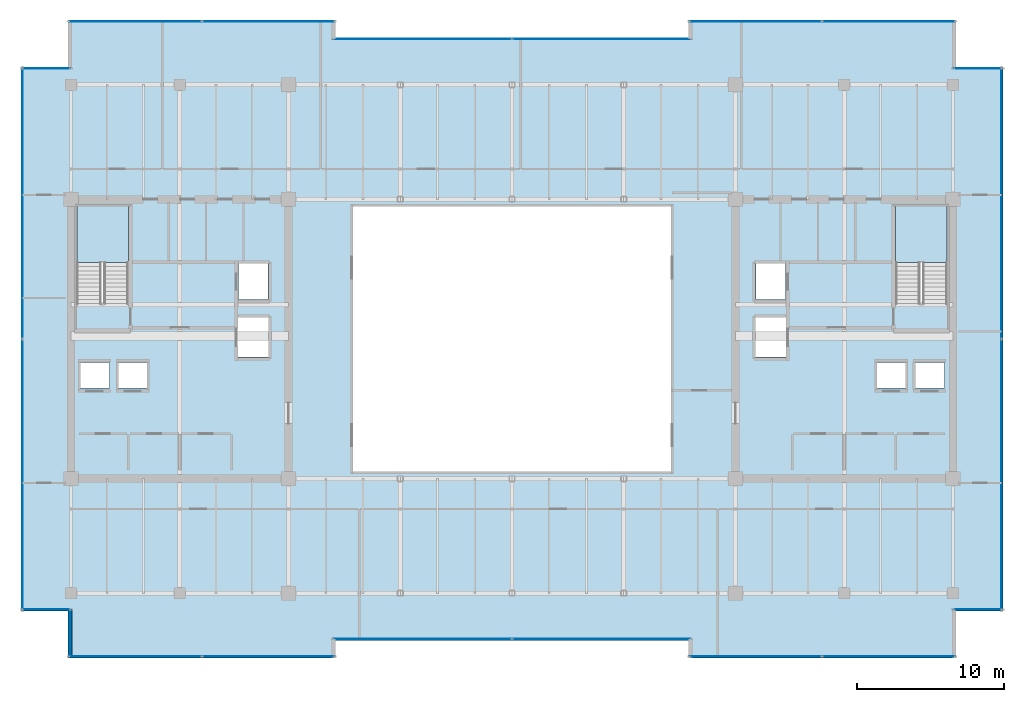
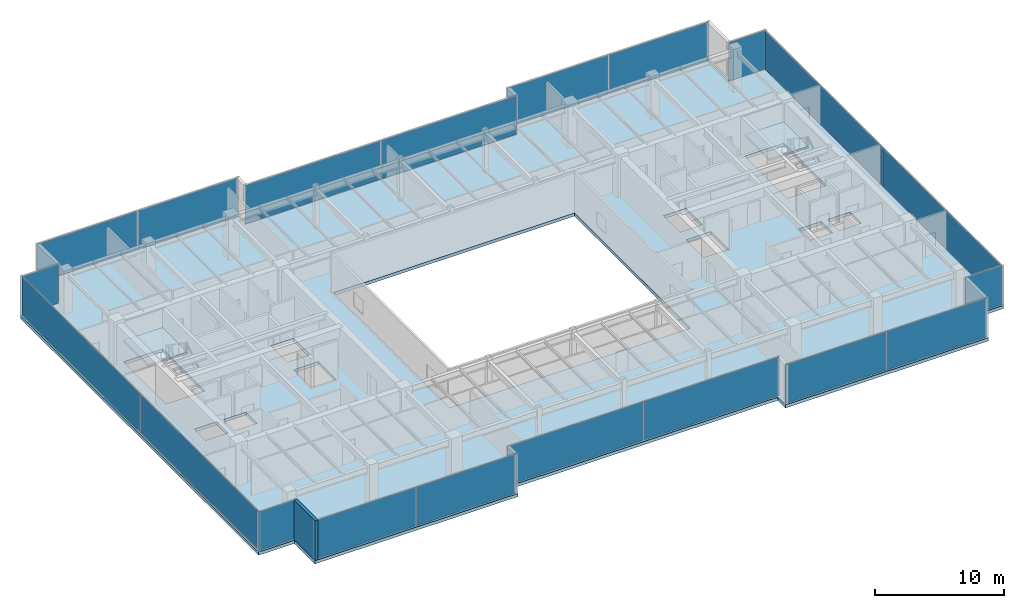
# One storey, part 27 of 33: 20 plates, 3 slabs, 1 wall, 14 elements without a shape of their own.
"""IFC4 building model written with IfcOpenShell, lengths in metres."""

from ifc_helpers import new_model, si_unit, direction, frame, frame_2d, origin, origin_2d, place, context, subcontext, project, spatial, polyline, rectangle, outline, extrude, source, transform, mapped, material, layer, layer_set, type_object, type_shapes, element, aggregate, save


model = new_model("IFC4")

# Units and contexts
model_context = context("Model", 3, precision=1e-05, world=origin(), true_north=direction((0.0, 1.0)))
body_context = subcontext(model_context, "Body", "Model", "MODEL_VIEW")
ifc_project = project(units=[si_unit("LENGTHUNIT", "METRE"), si_unit("AREAUNIT", "SQUARE_METRE"), si_unit("VOLUMEUNIT", "CUBIC_METRE"), si_unit("PLANEANGLEUNIT", "RADIAN"), si_unit("MASSUNIT", "GRAM", prefix="KILO")], contexts=[model_context])

# Site, building, storey
site_placement = place(None, origin())
site = spatial("IfcSite", under=ifc_project, at=site_placement, CompositionType="ELEMENT")
building_placement = place(site_placement, origin())
building = spatial("IfcBuilding", under=site, at=building_placement, Name="Haelvirn Gate Laboratories", CompositionType="ELEMENT")
storey_placement = place(building_placement, frame((0.0, 0.0, 275.199951171875)))
storey = spatial("IfcBuildingStorey", under=building, at=storey_placement, Name="L66", CompositionType="ELEMENT", Elevation=275.199951171875)

# Stair, slab
ifc_material_1 = material(Name="Concrete C40/50", Category="concrete")
stair_type = type_object("IfcStairType", Name="ST-DOG-1650-R22", PredefinedType="HALF_TURN_STAIR", material=ifc_material_1)
stair_1_placement = place(storey_placement, origin())
stair_1 = element("IfcStair", 1, at=stair_1_placement, inside=storey, type_object=stair_type, Name="L66 Escape Stair ST1", PredefinedType="HALF_TURN_STAIR")
ifc_layer_1 = layer(ifc_material_1, 0.199951171875, Name="SL-STAIR-LND")
ifc_layer_set_1 = layer_set([ifc_layer_1], Name="Concrete C40/50")
slab_type_1 = type_object("IfcSlabType", Name="SL-STAIR-LND", PredefinedType="LANDING", material=ifc_layer_set_1)
slab_1_placement = place(storey_placement, frame((0.0, 0.0, 1.85009765625)))
slab_1 = element("IfcSlab", 2, at=slab_1_placement, type_object=slab_type_1, Name="ST1 landing 1", PredefinedType="LANDING", context=body_context, shape_type="SweptSolid", body=[
    extrude(outline(polyline([(11.300048828125, 29.5), (11.300048828125, 33.35009765625), (7.800048828125, 33.35009765625), (7.800048828125, 29.5), (11.300048828125, 29.5)])), origin(), (0.0, 0.0, 1.0), 0.199951171875),
])
aggregate(stair_1, [slab_1])

stair_2_placement = place(storey_placement, origin())
stair_2 = element("IfcStair", 3, at=stair_2_placement, inside=storey, type_object=stair_type, Name="L66 Escape Stair ST2", PredefinedType="HALF_TURN_STAIR")
slab_2_placement = place(storey_placement, frame((0.0, 0.0, 1.85009765625)))
slab_2 = element("IfcSlab", 4, at=slab_2_placement, type_object=slab_type_1, Name="ST2 landing 1", PredefinedType="LANDING", context=body_context, shape_type="SweptSolid", body=[
    extrude(outline(polyline([(67.0, 29.5), (67.0, 33.35009765625), (63.5, 33.35009765625), (63.5, 29.5), (67.0, 29.5)])), origin(), (0.0, 0.0, 1.0), 0.199951171875),
])
aggregate(stair_2, [slab_2])

# Slab
ifc_layer_2 = layer(ifc_material_1, 0.300048828125, Name="SL-Z3-300")
ifc_layer_set_2 = layer_set([ifc_layer_2], Name="Concrete C40/50")
slab_type_2 = type_object("IfcSlabType", Name="SL-Z3-300", PredefinedType="FLOOR", material=ifc_layer_set_2)
slab_3_placement = place(storey_placement, frame((0.0, 0.0, -0.300048828125)))
element("IfcSlab", 5, at=slab_3_placement, inside=storey, type_object=slab_type_2, Name="L66 Structural Slab MAIN", PredefinedType="FLOOR", context=body_context, shape_type="SweptSolid", body=[
    extrude(outline(polyline([(7.199951171875, 2.60009765625), (25.39990234375, 2.60009765625), (25.39990234375, 3.800048828125), (49.39990234375, 3.800048828125), (49.39990234375, 2.60009765625), (67.60009765625, 2.60009765625), (67.60009765625, 5.800048828125), (70.800048828125, 5.800048828125), (70.800048828125, 42.800048828125), (67.60009765625, 42.800048828125), (67.60009765625, 46.0), (49.39990234375, 46.0), (49.39990234375, 44.800048828125), (25.39990234375, 44.800048828125), (25.39990234375, 46.0), (7.199951171875, 46.0), (7.199951171875, 42.800048828125), (4.0, 42.800048828125), (4.0, 5.800048828125), (7.199951171875, 5.800048828125), (7.199951171875, 2.60009765625)]), holes=[polyline([(26.60009765625, 15.300048828125), (48.199951171875, 15.300048828125), (48.199951171875, 33.300048828125), (26.60009765625, 33.300048828125), (26.60009765625, 15.300048828125)]), polyline([(11.300048828125, 26.780029296875), (11.300048828125, 33.35009765625), (7.800048828125, 33.35009765625), (7.800048828125, 26.780029296875), (11.300048828125, 26.780029296875)]), polyline([(67.0, 26.780029296875), (67.0, 33.35009765625), (63.5, 33.35009765625), (63.5, 26.780029296875), (67.0, 26.780029296875)]), polyline([(7.989990234375, 20.969970703125), (10.010009765625, 20.969970703125), (10.010009765625, 22.7099609375), (7.989990234375, 22.7099609375), (7.989990234375, 20.969970703125)]), polyline([(10.590087890625, 20.969970703125), (12.610107421875, 20.969970703125), (12.610107421875, 22.7099609375), (10.590087890625, 22.7099609375), (10.590087890625, 20.969970703125)]), polyline([(18.7900390625, 26.969970703125), (20.81005859375, 26.969970703125), (20.81005859375, 29.510009765625), (18.7900390625, 29.510009765625), (18.7900390625, 26.969970703125)]), polyline([(18.68994140625, 23.070068359375), (20.909912109375, 23.070068359375), (20.909912109375, 25.81005859375), (18.68994140625, 25.81005859375), (18.68994140625, 23.070068359375)]), polyline([(64.7900390625, 20.969970703125), (66.81005859375, 20.969970703125), (66.81005859375, 22.7099609375), (64.7900390625, 22.7099609375), (64.7900390625, 20.969970703125)]), polyline([(62.18994140625, 20.969970703125), (64.2099609375, 20.969970703125), (64.2099609375, 22.7099609375), (62.18994140625, 22.7099609375), (62.18994140625, 20.969970703125)]), polyline([(53.989990234375, 26.969970703125), (56.010009765625, 26.969970703125), (56.010009765625, 29.510009765625), (53.989990234375, 29.510009765625), (53.989990234375, 26.969970703125)]), polyline([(53.889892578125, 23.070068359375), (56.110107421875, 23.070068359375), (56.110107421875, 25.81005859375), (53.889892578125, 25.81005859375), (53.889892578125, 23.070068359375)])]), origin(), (0.0, 0.0, 1.0), 0.300048828125),
])

# Curtain wall, plates
ifc_material_2 = material(Name="Anodised bronze unitised aluminium & triple low-E glass", Category="aluminium")
ifc_layer_3 = layer(ifc_material_2, 0.176025390625, Name="CW-SYS-4")
ifc_layer_set_3 = layer_set([ifc_layer_3], Name="Anodised bronze unitised aluminium & triple low-E glass")
curtain_wall_type_1 = type_object("IfcCurtainWallType", Name="CW-SYS-4", PredefinedType="NOTDEFINED", material=ifc_layer_set_3)
curtain_wall_1_placement = place(storey_placement, origin())
curtain_wall_1 = element("IfcCurtainWall", 6, at=curtain_wall_1_placement, inside=storey, type_object=curtain_wall_type_1, Name="L66 Unitised Curtain Wall CW-L66-P0-E00-1", PredefinedType="NOTDEFINED")
ifc_material_3 = material(Name="Acoustic laminated bronze triple IGU 36 mm", Category="glass")
ifc_layer_4 = layer(ifc_material_3, 0.035888671875, Name="CWP-IGU-36")
ifc_layer_set_4 = layer_set([ifc_layer_4], Name="Acoustic laminated bronze triple IGU 36 mm")
plate_type_1 = type_object("IfcPlateType", Name="CWP-IGU-36", PredefinedType="CURTAIN_PANEL", material=ifc_layer_set_4)
shared_shape_1 = source(origin(), body_context, "Body", "SweptSolid", [
    extrude(rectangle(XDim=8.9951171875, YDim=0.035888671875, at=origin_2d()), origin(), (0.0, 0.0, 1.0), 3.669921875),
])
plate_1_placement = place(storey_placement, frame((11.767578125, 2.699951171875, 0.065185546875), z_axis=(0.0, 0.0, 1.0), x_axis=(1.0, 0.0, 0.0)))
plate_1 = element("IfcPlate", 7, at=plate_1_placement, type_object=plate_type_1, Name="CW4 panel 1.1", PredefinedType="CURTAIN_PANEL", context=body_context, shape_type="MappedRepresentation", body=[
    mapped(shared_shape_1, transform((0.0, 0.0, 0.0), scale=1.0)),
])
plate_2_placement = place(storey_placement, frame((20.83251953125, 2.699951171875, 0.065185546875), z_axis=(0.0, 0.0, 1.0), x_axis=(1.0, 0.0, 0.0)))
plate_2 = element("IfcPlate", 8, at=plate_2_placement, type_object=plate_type_1, Name="CW4 panel 2.1", PredefinedType="CURTAIN_PANEL", context=body_context, shape_type="MappedRepresentation", body=[
    mapped(shared_shape_1, transform((0.0, 0.0, 0.0), scale=1.0)),
])
aggregate(curtain_wall_1, [plate_1, plate_2])

curtain_wall_2_placement = place(storey_placement, origin())
curtain_wall_2 = element("IfcCurtainWall", 9, at=curtain_wall_2_placement, inside=storey, type_object=curtain_wall_type_1, Name="L66 Unitised Curtain Wall CW-L66-P0-E04-1", PredefinedType="NOTDEFINED")
plate_3_placement = place(storey_placement, frame((53.967529296875, 2.699951171875, 0.065185546875), z_axis=(0.0, 0.0, 1.0), x_axis=(1.0, 0.0, 0.0)))
plate_3 = element("IfcPlate", 10, at=plate_3_placement, type_object=plate_type_1, Name="CW4 panel 1.1", PredefinedType="CURTAIN_PANEL", context=body_context, shape_type="MappedRepresentation", body=[
    mapped(shared_shape_1, transform((0.0, 0.0, 0.0), scale=1.0)),
])
plate_4_placement = place(storey_placement, frame((63.032470703125, 2.699951171875, 0.065185546875), z_axis=(0.0, 0.0, 1.0), x_axis=(1.0, 0.0, 0.0)))
plate_4 = element("IfcPlate", 11, at=plate_4_placement, type_object=plate_type_1, Name="CW4 panel 2.1", PredefinedType="CURTAIN_PANEL", context=body_context, shape_type="MappedRepresentation", body=[
    mapped(shared_shape_1, transform((0.0, 0.0, 0.0), scale=1.0)),
])
aggregate(curtain_wall_2, [plate_3, plate_4])

curtain_wall_3_placement = place(storey_placement, origin())
curtain_wall_3 = element("IfcCurtainWall", 12, at=curtain_wall_3_placement, inside=storey, type_object=curtain_wall_type_1, Name="L66 Unitised Curtain Wall CW-L66-P0-E10-1", PredefinedType="NOTDEFINED")
plate_5_placement = place(storey_placement, frame((53.967529296875, 45.89990234375, 0.065185546875), z_axis=(0.0, 0.0, 1.0), x_axis=(1.0, 0.0, 0.0)))
plate_5 = element("IfcPlate", 13, at=plate_5_placement, type_object=plate_type_1, Name="CW4 panel 1.1", PredefinedType="CURTAIN_PANEL", context=body_context, shape_type="MappedRepresentation", body=[
    mapped(shared_shape_1, transform((0.0, 0.0, 0.0), scale=1.0)),
])
plate_6_placement = place(storey_placement, frame((63.032470703125, 45.89990234375, 0.065185546875), z_axis=(0.0, 0.0, 1.0), x_axis=(1.0, 0.0, 0.0)))
plate_6 = element("IfcPlate", 14, at=plate_6_placement, type_object=plate_type_1, Name="CW4 panel 2.1", PredefinedType="CURTAIN_PANEL", context=body_context, shape_type="MappedRepresentation", body=[
    mapped(shared_shape_1, transform((0.0, 0.0, 0.0), scale=1.0)),
])
aggregate(curtain_wall_3, [plate_5, plate_6])

curtain_wall_4_placement = place(storey_placement, origin())
curtain_wall_4 = element("IfcCurtainWall", 15, at=curtain_wall_4_placement, inside=storey, type_object=curtain_wall_type_1, Name="L66 Unitised Curtain Wall CW-L66-P0-E14-1", PredefinedType="NOTDEFINED")
plate_7_placement = place(storey_placement, frame((11.767578125, 45.89990234375, 0.065185546875), z_axis=(0.0, 0.0, 1.0), x_axis=(1.0, 0.0, 0.0)))
plate_7 = element("IfcPlate", 16, at=plate_7_placement, type_object=plate_type_1, Name="CW4 panel 1.1", PredefinedType="CURTAIN_PANEL", context=body_context, shape_type="MappedRepresentation", body=[
    mapped(shared_shape_1, transform((0.0, 0.0, 0.0), scale=1.0)),
])
plate_8_placement = place(storey_placement, frame((20.83251953125, 45.89990234375, 0.065185546875), z_axis=(0.0, 0.0, 1.0), x_axis=(1.0, 0.0, 0.0)))
plate_8 = element("IfcPlate", 17, at=plate_8_placement, type_object=plate_type_1, Name="CW4 panel 2.1", PredefinedType="CURTAIN_PANEL", context=body_context, shape_type="MappedRepresentation", body=[
    mapped(shared_shape_1, transform((0.0, 0.0, 0.0), scale=1.0)),
])
aggregate(curtain_wall_4, [plate_7, plate_8])

curtain_wall_5_placement = place(storey_placement, origin())
curtain_wall_5 = element("IfcCurtainWall", 18, at=curtain_wall_5_placement, inside=storey, type_object=curtain_wall_type_1, Name="L66 Unitised Curtain Wall CW-L66-P0-E02-1", PredefinedType="NOTDEFINED")
shared_shape_2 = source(origin(), body_context, "Body", "SweptSolid", [
    extrude(rectangle(XDim=12.135009765625, YDim=0.035888671875, at=origin_2d()), origin(), (0.0, 0.0, 1.0), 3.669921875),
])
plate_9_placement = place(storey_placement, frame((31.297607421875, 3.89990234375, 0.065185546875), z_axis=(0.0, 0.0, 1.0), x_axis=(1.0, 0.0, 0.0)))
plate_9 = element("IfcPlate", 19, at=plate_9_placement, type_object=plate_type_1, Name="CW4 panel 1.1", PredefinedType="CURTAIN_PANEL", context=body_context, shape_type="MappedRepresentation", body=[
    mapped(shared_shape_2, transform((0.0, 0.0, 0.0), scale=1.0)),
])
plate_10_placement = place(storey_placement, frame((43.50244140625, 3.89990234375, 0.065185546875), z_axis=(0.0, 0.0, 1.0), x_axis=(1.0, 0.0, 0.0)))
plate_10 = element("IfcPlate", 20, at=plate_10_placement, type_object=plate_type_1, Name="CW4 panel 2.1", PredefinedType="CURTAIN_PANEL", context=body_context, shape_type="MappedRepresentation", body=[
    mapped(shared_shape_2, transform((0.0, 0.0, 0.0), scale=1.0)),
])
aggregate(curtain_wall_5, [plate_9, plate_10])

curtain_wall_6_placement = place(storey_placement, origin())
curtain_wall_6 = element("IfcCurtainWall", 21, at=curtain_wall_6_placement, inside=storey, type_object=curtain_wall_type_1, Name="L66 Unitised Curtain Wall CW-L66-P0-E12-1", PredefinedType="NOTDEFINED")
plate_11_placement = place(storey_placement, frame((31.297607421875, 44.699951171875, 0.065185546875), z_axis=(0.0, 0.0, 1.0), x_axis=(1.0, 0.0, 0.0)))
plate_11 = element("IfcPlate", 22, at=plate_11_placement, type_object=plate_type_1, Name="CW4 panel 1.1", PredefinedType="CURTAIN_PANEL", context=body_context, shape_type="MappedRepresentation", body=[
    mapped(shared_shape_2, transform((0.0, 0.0, 0.0), scale=1.0)),
])
plate_12_placement = place(storey_placement, frame((43.50244140625, 44.699951171875, 0.065185546875), z_axis=(0.0, 0.0, 1.0), x_axis=(1.0, 0.0, 0.0)))
plate_12 = element("IfcPlate", 23, at=plate_12_placement, type_object=plate_type_1, Name="CW4 panel 2.1", PredefinedType="CURTAIN_PANEL", context=body_context, shape_type="MappedRepresentation", body=[
    mapped(shared_shape_2, transform((0.0, 0.0, 0.0), scale=1.0)),
])
aggregate(curtain_wall_6, [plate_11, plate_12])

# Curtain wall, plate
ifc_layer_5 = layer(ifc_material_2, 0.181884765625, Name="CW-SYS-5")
ifc_layer_set_5 = layer_set([ifc_layer_5], Name="Anodised bronze unitised aluminium & triple low-E glass")
curtain_wall_type_2 = type_object("IfcCurtainWallType", Name="CW-SYS-5", PredefinedType="NOTDEFINED", material=ifc_layer_set_5)
curtain_wall_7_placement = place(storey_placement, origin())
curtain_wall_7 = element("IfcCurtainWall", 24, at=curtain_wall_7_placement, inside=storey, type_object=curtain_wall_type_2, Name="L66 Unitised Curtain Wall CW-L66-P0-E06-1", PredefinedType="NOTDEFINED")
ifc_material_4 = material(Name="Clear low-iron notched-corner triple IGU 42 mm", Category="glass")
ifc_layer_6 = layer(ifc_material_4, 0.0419921875, Name="CWP-NTC-42")
ifc_layer_set_6 = layer_set([ifc_layer_6], Name="Clear low-iron notched-corner triple IGU 42 mm")
plate_type_2 = type_object("IfcPlateType", Name="CWP-NTC-42", PredefinedType="CURTAIN_PANEL", material=ifc_layer_set_6)
shared_shape_3 = source(origin(), body_context, "Body", "SweptSolid", [
    extrude(rectangle(XDim=3.280029296875, YDim=0.0419921875, at=origin_2d()), origin(), (0.0, 0.0, 1.0), 3.669921875),
])
type_shapes(plate_type_2, [shared_shape_3])
plate_13_placement = place(storey_placement, frame((69.080078125, 5.89990234375, 0.065185546875), z_axis=(0.0, 0.0, 1.0), x_axis=(1.0, 0.0, 0.0)))
plate_13 = element("IfcPlate", 25, at=plate_13_placement, type_object=plate_type_2, Name="CW5 panel 1.1", PredefinedType="CURTAIN_PANEL", context=body_context, shape_type="MappedRepresentation", body=[
    mapped(shared_shape_3, transform((0.0, 0.0, 0.0), scale=1.0)),
])
aggregate(curtain_wall_7, [plate_13])

curtain_wall_8_placement = place(storey_placement, origin())
curtain_wall_8 = element("IfcCurtainWall", 26, at=curtain_wall_8_placement, inside=storey, type_object=curtain_wall_type_2, Name="L66 Unitised Curtain Wall CW-L66-P0-E08-1", PredefinedType="NOTDEFINED")
plate_14_placement = place(storey_placement, frame((69.080078125, 42.699951171875, 0.065185546875), z_axis=(0.0, 0.0, 1.0), x_axis=(1.0, 0.0, 0.0)))
plate_14 = element("IfcPlate", 27, at=plate_14_placement, type_object=plate_type_2, Name="CW5 panel 1.1", PredefinedType="CURTAIN_PANEL", context=body_context, shape_type="MappedRepresentation", body=[
    mapped(shared_shape_3, transform((0.0, 0.0, 0.0), scale=1.0)),
])
aggregate(curtain_wall_8, [plate_14])

curtain_wall_9_placement = place(storey_placement, origin())
curtain_wall_9 = element("IfcCurtainWall", 28, at=curtain_wall_9_placement, inside=storey, type_object=curtain_wall_type_2, Name="L66 Unitised Curtain Wall CW-L66-P0-E16-1", PredefinedType="NOTDEFINED")
plate_15_placement = place(storey_placement, frame((5.719970703125, 42.699951171875, 0.065185546875), z_axis=(0.0, 0.0, 1.0), x_axis=(1.0, 0.0, 0.0)))
plate_15 = element("IfcPlate", 29, at=plate_15_placement, type_object=plate_type_2, Name="CW5 panel 1.1", PredefinedType="CURTAIN_PANEL", context=body_context, shape_type="MappedRepresentation", body=[
    mapped(shared_shape_3, transform((0.0, 0.0, 0.0), scale=1.0)),
])
aggregate(curtain_wall_9, [plate_15])

curtain_wall_10_placement = place(storey_placement, origin())
curtain_wall_10 = element("IfcCurtainWall", 30, at=curtain_wall_10_placement, inside=storey, type_object=curtain_wall_type_2, Name="L66 Unitised Curtain Wall CW-L66-P0-E18-1", PredefinedType="NOTDEFINED")
plate_16_placement = place(storey_placement, frame((5.719970703125, 5.89990234375, 0.065185546875), z_axis=(0.0, 0.0, 1.0), x_axis=(1.0, 0.0, 0.0)))
plate_16 = element("IfcPlate", 31, at=plate_16_placement, type_object=plate_type_2, Name="CW5 panel 1.1", PredefinedType="CURTAIN_PANEL", context=body_context, shape_type="MappedRepresentation", body=[
    mapped(shared_shape_3, transform((0.0, 0.0, 0.0), scale=1.0)),
])
aggregate(curtain_wall_10, [plate_16])

# Curtain wall, plates
curtain_wall_11_placement = place(storey_placement, origin())
curtain_wall_11 = element("IfcCurtainWall", 32, at=curtain_wall_11_placement, inside=storey, type_object=curtain_wall_type_1, Name="L66 Unitised Curtain Wall CW-L66-P0-E07", PredefinedType="NOTDEFINED")
shared_shape_4 = source(origin(), body_context, "Body", "SweptSolid", [
    extrude(rectangle(XDim=18.39501953125, YDim=0.035888671875, at=origin_2d()), origin(), (0.0, 0.0, 1.0), 3.669921875),
])
type_shapes(plate_type_1, [shared_shape_1, shared_shape_2, shared_shape_4])
plate_17_placement = place(storey_placement, frame((70.699951171875, 15.0673828125, 0.065185546875), z_axis=(0.0, 0.0, 1.0), x_axis=(0.0, 1.0, 0.0)))
plate_17 = element("IfcPlate", 33, at=plate_17_placement, type_object=plate_type_1, Name="CW4 panel 1.1", PredefinedType="CURTAIN_PANEL", context=body_context, shape_type="MappedRepresentation", body=[
    mapped(shared_shape_4, transform((0.0, 0.0, 0.0), scale=1.0)),
])
plate_18_placement = place(storey_placement, frame((70.699951171875, 33.532470703125, 0.065185546875), z_axis=(0.0, 0.0, 1.0), x_axis=(0.0, 1.0, 0.0)))
plate_18 = element("IfcPlate", 34, at=plate_18_placement, type_object=plate_type_1, Name="CW4 panel 2.1", PredefinedType="CURTAIN_PANEL", context=body_context, shape_type="MappedRepresentation", body=[
    mapped(shared_shape_4, transform((0.0, 0.0, 0.0), scale=1.0)),
])
aggregate(curtain_wall_11, [plate_17, plate_18])

curtain_wall_12_placement = place(storey_placement, origin())
curtain_wall_12 = element("IfcCurtainWall", 35, at=curtain_wall_12_placement, inside=storey, type_object=curtain_wall_type_1, Name="L66 Unitised Curtain Wall CW-L66-P0-E17", PredefinedType="NOTDEFINED")
plate_19_placement = place(storey_placement, frame((4.10009765625, 33.532470703125, 0.065185546875), z_axis=(0.0, 0.0, 1.0), x_axis=(0.0, -1.0, 0.0)))
plate_19 = element("IfcPlate", 36, at=plate_19_placement, type_object=plate_type_1, Name="CW4 panel 1.1", PredefinedType="CURTAIN_PANEL", context=body_context, shape_type="MappedRepresentation", body=[
    mapped(shared_shape_4, transform((0.0, 0.0, 0.0), scale=1.0)),
])
plate_20_placement = place(storey_placement, frame((4.10009765625, 15.0673828125, 0.065185546875), z_axis=(0.0, 0.0, 1.0), x_axis=(0.0, -1.0, 0.0)))
plate_20 = element("IfcPlate", 37, at=plate_20_placement, type_object=plate_type_1, Name="CW4 panel 2.1", PredefinedType="CURTAIN_PANEL", context=body_context, shape_type="MappedRepresentation", body=[
    mapped(shared_shape_4, transform((0.0, 0.0, 0.0), scale=1.0)),
])
aggregate(curtain_wall_12, [plate_19, plate_20])

# Wall
ifc_material_5 = material(Name="Thermally-broken bronze aluminium rainscreen & mineral wool", Category="aluminium")
ifc_layer_7 = layer(ifc_material_5, 0.280029296875, Name="EW-TERR-280")
ifc_layer_set_7 = layer_set([ifc_layer_7], Name="Thermally-broken bronze aluminium rainscreen & mineral wool")
wall_type = type_object("IfcWallType", Name="EW-TERR-280", PredefinedType="STANDARD", material=ifc_layer_set_7)
wall_placement = place(storey_placement, frame((7.340087890625, 5.887939453125, 0.0), z_axis=(0.0, 0.0, 1.0), x_axis=(0.0, -1.0, 0.0)))
element("IfcWall", 38, at=wall_placement, inside=storey, type_object=wall_type, Name="L66 Atrium Recess Bronze Return Wall 19", PredefinedType="STANDARD", context=body_context, shape_type="SweptSolid", body=[
    extrude(rectangle(XDim=3.287841796875, YDim=0.280029296875, at=frame_2d((1.64404296875, 0.0))), origin(), (0.0, 0.0, 1.0), 3.800048828125),
])

save(model, "model.ifc")
